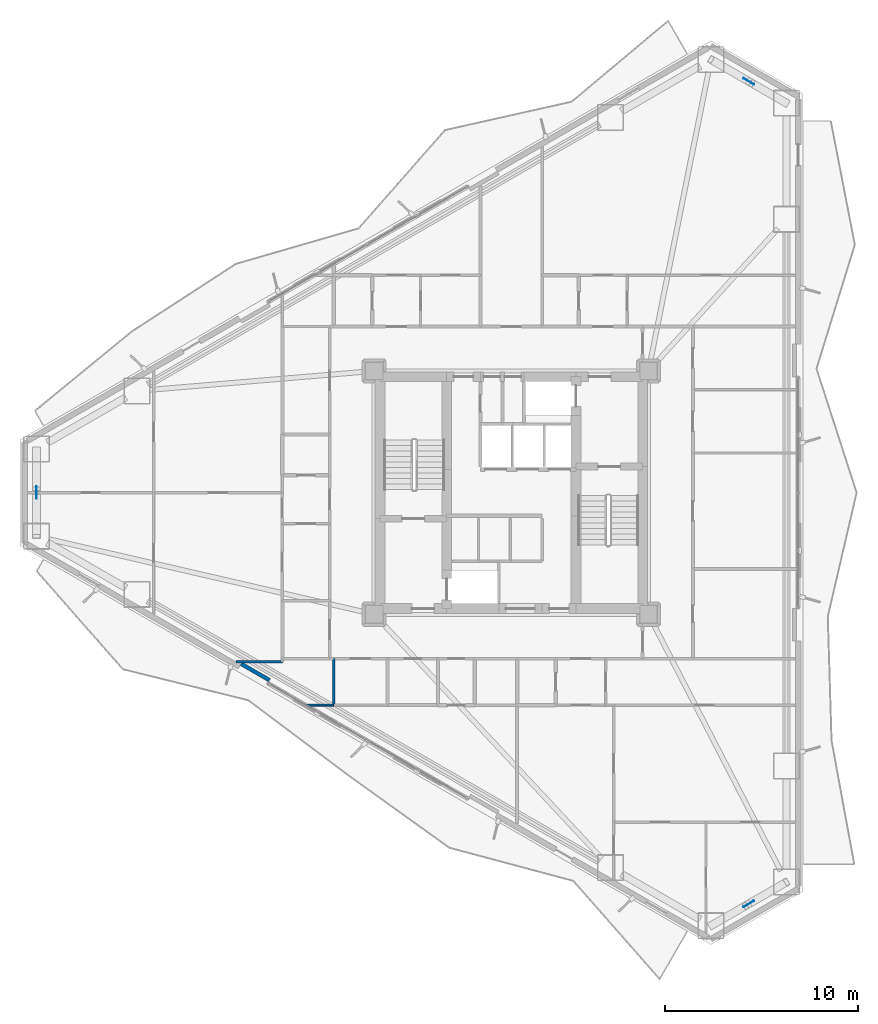
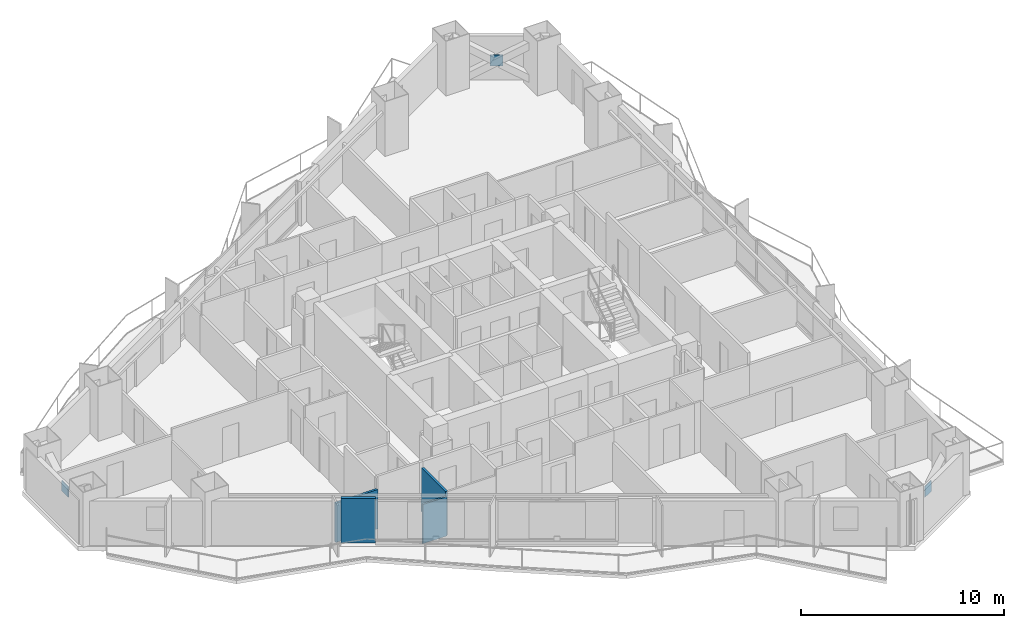
# One storey, part 11 of 19: 4 walls, 3 plates.
"""IFC4 building model written with IfcOpenShell, lengths in metres."""

import ifcopenshell
import ifcopenshell.guid

model = None  # the IFC model being written
_history = None  # IfcOwnerHistory: only IFC2X3 demands one
_inside = {}  # id of a spatial element -> (the spatial element, [elements in it])
_under = {}  # id of a project, library or spatial element -> (it, [spatial elements below it])
_declared = {}  # id of a project -> (the project, [libraries it declares])
_typed = {}  # id of a type object -> (the type object, [elements of that type])
_made_of = {}  # id of a material, layer set ... -> (it, [elements and type objects made of it])


def new_model(schema):
    """Start an empty IFC model of exactly this schema.

    Asked for "IFC4X3", IfcOpenShell would pick the latest addendum, in which some entities
    have other attributes; the version numbers below select the first issue.
    IFC2X3 requires an IfcOwnerHistory on every rooted entity: one is made here for all.
    """
    global model, _history
    if schema == "IFC4X3":
        model = ifcopenshell.file(schema_version=(4, 3, 0, 0))
    else:
        model = ifcopenshell.file(schema=schema)
    _inside.clear()
    _under.clear()
    _declared.clear()
    _typed.clear()
    _made_of.clear()
    _history = None
    if model.schema == "IFC2X3":
        org = make("IfcOrganization", Name="unknown")
        user = make(
            "IfcPersonAndOrganization",
            ThePerson=make("IfcPerson", FamilyName="unknown"),
            TheOrganization=org,
        )
        app = make(
            "IfcApplication",
            ApplicationDeveloper=org,
            Version="unknown",
            ApplicationFullName="unknown",
            ApplicationIdentifier="unknown",
        )
        _history = make(
            "IfcOwnerHistory",
            OwningUser=user,
            OwningApplication=app,
            ChangeAction="ADDED",
            CreationDate=0,
        )
    return model


def make(cls, **values):
    """One entity of the class cls with the attributes given. An attribute that is None is left unset."""
    return model.create_entity(
        cls, **{name: value for name, value in values.items() if value is not None}
    )


def rooted(cls, **values):
    """An entity with a GlobalId (a new one), such as an element, a storey or a relation."""
    return make(cls, GlobalId=ifcopenshell.guid.new(), OwnerHistory=_history, **values)


def si_unit(unit_type, name, prefix=None):
    """IfcSIUnit, for example si_unit("LENGTHUNIT", "METRE", prefix="MILLI")."""
    return make("IfcSIUnit", UnitType=unit_type, Prefix=prefix, Name=name)


def assignment(units):
    """IfcUnitAssignment: the units of a project."""
    return None if units is None else make("IfcUnitAssignment", Units=units)


def point(xyz):
    """IfcCartesianPoint."""
    return None if xyz is None else make("IfcCartesianPoint", Coordinates=xyz)


def direction(xyz):
    """IfcDirection."""
    return None if xyz is None else make("IfcDirection", DirectionRatios=xyz)


def frame(location, z_axis=None, x_axis=None):
    """IfcAxis2Placement3D, a coordinate frame: its origin and axes. An axis left out is left unset."""
    return make(
        "IfcAxis2Placement3D",
        Location=point(location),
        Axis=direction(z_axis),
        RefDirection=direction(x_axis),
    )


def frame_2d(location, x_axis=None):
    """IfcAxis2Placement2D, a coordinate frame in the plane: its origin and x axis."""
    return make(
        "IfcAxis2Placement2D", Location=point(location), RefDirection=direction(x_axis)
    )


def origin():
    """The frame at (0, 0, 0) with its axes left unset."""
    return frame((0.0, 0.0, 0.0))


def origin_2d():
    """The frame at (0, 0) in the plane with its x axis left unset."""
    return frame_2d((0.0, 0.0))


def place(relative_to, where):
    """IfcLocalPlacement: puts the frame where relative to a parent placement (None: the world)."""
    return make(
        "IfcLocalPlacement", PlacementRelTo=relative_to, RelativePlacement=where
    )


def context(
    kind, dimensions, precision=None, world=None, true_north=None, identifier=None
):
    """IfcGeometricRepresentationContext, for example the 3D "Model" context."""
    return make(
        "IfcGeometricRepresentationContext",
        ContextIdentifier=identifier,
        ContextType=kind,
        CoordinateSpaceDimension=dimensions,
        Precision=precision,
        WorldCoordinateSystem=world,
        TrueNorth=true_north,
    )


def subcontext(parent, identifier, kind, view, scale=None):
    """IfcGeometricRepresentationSubContext, for example "Body" below "Model"."""
    return make(
        "IfcGeometricRepresentationSubContext",
        ContextIdentifier=identifier,
        ContextType=kind,
        ParentContext=parent,
        TargetScale=scale,
        TargetView=view,
    )


def project(units=None, contexts=None):
    """IfcProject with its units and contexts."""
    return rooted(
        "IfcProject",
        Name="project",
        RepresentationContexts=contexts,
        UnitsInContext=assignment(units),
    )


def spatial(cls, under=None, at=None, **own):
    """A site, building, storey or space (cls), placed at a placement, below another one or the project."""
    s = rooted(cls, ObjectPlacement=at, **own)
    if under is not None:
        _under.setdefault(under.id(), (under, []))[1].append(s)
    return s


def profile(cls, at=None, kind="AREA", **sizes):
    """A parametric profile (cls). Its sizes go by their IFC names, for example OverallWidth=200.0."""
    return make(cls, ProfileType=kind, Position=at, **sizes)


def rectangle(**sizes):
    """IfcRectangleProfileDef."""
    return profile("IfcRectangleProfileDef", **sizes)


def extrude(swept, where, along, depth):
    """IfcExtrudedAreaSolid: the profile swept, set in the frame where, extruded along a direction by depth."""
    return make(
        "IfcExtrudedAreaSolid",
        SweptArea=swept,
        Position=where,
        ExtrudedDirection=direction(along),
        Depth=depth,
    )


def shape(context_of_items, identifier, shape_type, items):
    """IfcShapeRepresentation: the items that make up one representation, for example the "Body"."""
    return make(
        "IfcShapeRepresentation",
        ContextOfItems=context_of_items,
        RepresentationIdentifier=identifier,
        RepresentationType=shape_type,
        Items=items,
    )


def material(Name=None, Category=None):
    """IfcMaterial."""
    return make("IfcMaterial", Name=Name, Category=Category)


def layer(
    of_material, thickness, ventilated=None, Name=None, Category=None, Priority=None
):
    """IfcMaterialLayer: one layer of a wall or slab, of a material (None: an air gap)."""
    return make(
        "IfcMaterialLayer",
        Material=of_material,
        LayerThickness=thickness,
        IsVentilated=ventilated,
        Name=Name,
        Category=Category,
        Priority=Priority,
    )


def layer_set(layers, Name=None):
    """IfcMaterialLayerSet."""
    return make("IfcMaterialLayerSet", MaterialLayers=layers, LayerSetName=Name)


def made_of(thing, what):
    """Note that an element or type object is made of a material, layer set ...; save() writes the relation."""
    if what is not None:
        _made_of.setdefault(what.id(), (what, []))[1].append(thing)
    return thing


def type_object(cls, material=None, **own):
    """A type object (cls), such as IfcWallType, which elements share."""
    return made_of(rooted(cls, **own), material)


def element(
    cls,
    number,
    at=None,
    inside=None,
    cuts=None,
    type_object=None,
    material=None,
    context=None,
    identifier="Body",
    shape_type=None,
    held_by="IfcProductDefinitionShape",
    body=None,
    shapes=None,
    **own,
):
    """One element of the class cls, such as IfcWall. Its Tag is "e" and its number.

    at: its placement. inside: the storey or other place that contains it. cuts: it is an
    opening in that element (IfcRelVoidsElement). A single representation is given by context,
    identifier, shape_type and body (its items); several are given by shapes. held_by: the class
    of the entity that holds the representations. save() writes the other relations.
    """
    e = rooted(cls, Tag="e%d" % number, ObjectPlacement=at, **own)
    if body is not None:
        shapes = [shape(context, identifier, shape_type, body)]
    if shapes is not None:
        e.Representation = make(held_by, Representations=shapes)
    if inside is not None:
        _inside.setdefault(inside.id(), (inside, []))[1].append(e)
    if cuts is not None:
        rooted(
            "IfcRelVoidsElement", RelatingBuildingElement=cuts, RelatedOpeningElement=e
        )
    if type_object is not None:
        _typed.setdefault(type_object.id(), (type_object, []))[1].append(e)
    return made_of(e, material)


def aggregate(whole, parts):
    """IfcRelAggregates: a whole, such as a stair, and the parts it consists of."""
    return rooted("IfcRelAggregates", RelatingObject=whole, RelatedObjects=parts)


def save(model, path):
    """Write the relations noted so far, then the file.

    IfcRelAggregates (storeys below a building ...), IfcRelContainedInSpatialStructure (elements
    in a storey), IfcRelDefinesByType, IfcRelAssociatesMaterial and IfcRelDeclares: one each for
    every whole, place, type object, material and project.
    """
    for whole, parts in _under.values():
        aggregate(whole, parts)
    for where, things in _inside.values():
        rooted(
            "IfcRelContainedInSpatialStructure",
            RelatedElements=things,
            RelatingStructure=where,
        )
    for kind, things in _typed.values():
        rooted("IfcRelDefinesByType", RelatedObjects=things, RelatingType=kind)
    for what, things in _made_of.values():
        rooted("IfcRelAssociatesMaterial", RelatedObjects=things, RelatingMaterial=what)
    for by, libraries in _declared.values():
        rooted("IfcRelDeclares", RelatingContext=by, RelatedDefinitions=libraries)
    model.write(path)


model = new_model("IFC4")

# Units and contexts
model_context = context("Model", 3, precision=1e-05, world=origin(), true_north=direction((0.0, 1.0)))
body_context = subcontext(model_context, "Body", "Model", "MODEL_VIEW")
ifc_project = project(units=[si_unit("LENGTHUNIT", "METRE"), si_unit("AREAUNIT", "SQUARE_METRE"), si_unit("VOLUMEUNIT", "CUBIC_METRE"), si_unit("PLANEANGLEUNIT", "RADIAN"), si_unit("MASSUNIT", "GRAM", prefix="KILO")], contexts=[model_context])

# Site, building, storey
site_placement = place(None, origin())
site = spatial("IfcSite", under=ifc_project, at=site_placement, CompositionType="ELEMENT")
building_placement = place(site_placement, origin())
building = spatial("IfcBuilding", under=site, at=building_placement, Name="Mersakhor Tower and Convention Hall", CompositionType="ELEMENT")
storey_placement = place(building_placement, frame((0.0, 0.0, 48.89990234375)))
storey = spatial("IfcBuildingStorey", under=building, at=storey_placement, Name="L13", CompositionType="ELEMENT", Elevation=48.89990234375)

# Plates
ifc_material_1 = material(Name="Steel S460", Category="steel")
ifc_layer_1 = layer(ifc_material_1, 0.0400390625)
ifc_layer_set_1 = layer_set([ifc_layer_1], Name="Steel S460")
plate_type = type_object("IfcPlateType", Name="PL-GUSSET-40", PredefinedType="SHEET", material=ifc_layer_set_1)
for number, where, z_axis, x_axis, name in (
    (1, (41.29345703125, 48.04296875, 1.2001953125), (0.0, 0.0, 1.0), (-0.866025403784, 0.5, 0.0), "L13 X-Brace Crossing Gusset Node Plate"),
    (2, (41.29345703125, 5.45703125, 1.2001953125), (0.0, 0.0, 1.0), (0.866025403784, 0.5, 0.0), "L13 X-Brace Crossing Gusset Node Plate"),
    (3, (4.4130859375, 26.75, 1.2001953125), (0.0, 0.0, 1.0), (0.0, -1.0, 0.0), "L13 X-Brace Crossing Gusset Node Plate"),
):
    element("IfcPlate", number, at=place(storey_placement, frame(where, z_axis=z_axis, x_axis=x_axis)), inside=storey, type_object=plate_type, Name=name, PredefinedType="SHEET", context=body_context, shape_type="SweptSolid", body=[
        extrude(rectangle(XDim=0.639892578125, YDim=0.0400390625, at=origin_2d()), origin(), (0.0, 0.0, 1.0), 0.639892578125),
    ])

# Walls
ifc_material_2 = material(Name="Precast concrete C40/50", Category="concrete")
ifc_layer_2 = layer(ifc_material_2, 0.199951171875)
ifc_layer_set_2 = layer_set([ifc_layer_2], Name="Precast concrete C40/50")
wall_type_1 = type_object("IfcWallType", Name="WL-PAR-200", PredefinedType="PARAPET", material=ifc_layer_set_2)
wall_1_placement = place(storey_placement, frame((16.48046875, 17.038818359375, 0.0), z_axis=(0.0, 0.0, 1.0), x_axis=(-0.86605165483, 0.499954529098, 0.0)))
element("IfcWall", 4, at=wall_1_placement, inside=storey, type_object=wall_type_1, Name="L13 Column Pier Cladding Wall F3-C2", PredefinedType="PARAPET", context=body_context, shape_type="SweptSolid", body=[
    extrude(rectangle(XDim=1.699951171875, YDim=0.199951171875, at=frame_2d((0.85009765625, 0.0))), origin(), (0.0, 0.0, 1.0), 2.66015625),
])
ifc_material_3 = material(Name="Lightweight gypsum partition", Category="other")
ifc_layer_3 = layer(ifc_material_3, 0.10009765625)
ifc_layer_set_3 = layer_set([ifc_layer_3], Name="Lightweight gypsum partition")
wall_type_2 = type_object("IfcWallType", Name="WL-PRT-100", PredefinedType="PARTITIONING", material=ifc_layer_set_3)
wall_2_placement = place(storey_placement, frame((18.41796875, 15.75, 0.0), z_axis=(0.0, 0.0, 1.0), x_axis=(1.0, 0.0, 0.0)))
element("IfcWall", 5, at=wall_2_placement, inside=storey, type_object=wall_type_2, Name="L13 Interior Partition Wall P-114", PredefinedType="PARTITIONING", context=body_context, shape_type="SweptSolid", body=[
    extrude(rectangle(XDim=1.382080078125, YDim=0.10009765625, at=frame_2d((0.69091796875, 0.0))), origin(), (0.0, 0.0, 1.0), 2.364990234375),
])
ifc_material_4 = material(Name="Gypsum board acoustic partition", Category="other")
ifc_layer_4 = layer(ifc_material_4, 0.125)
ifc_layer_set_4 = layer_set([ifc_layer_4], Name="Gypsum board acoustic partition")
wall_type_3 = type_object("IfcWallType", Name="WL-PRT-125", PredefinedType="PARTITIONING", material=ifc_layer_set_4)
wall_3_placement = place(storey_placement, frame((19.800048828125, 15.75, 0.0), z_axis=(0.0, 0.0, 1.0), x_axis=(0.0, 1.0, 0.0)))
element("IfcWall", 6, at=wall_3_placement, inside=storey, type_object=wall_type_3, Name="L13 Interior Partition Wall P-113", PredefinedType="PARTITIONING", context=body_context, shape_type="SweptSolid", body=[
    extrude(rectangle(XDim=2.39990234375, YDim=0.125, at=frame_2d((1.199951171875, 0.0))), origin(), (0.0, 0.0, 1.0), 2.650390625),
])
wall_4_placement = place(storey_placement, frame((17.14990234375, 18.0, 0.0), z_axis=(0.0, 0.0, 1.0), x_axis=(-1.0, 0.0, 0.0)))
element("IfcWall", 7, at=wall_4_placement, inside=storey, type_object=wall_type_3, Name="L13 Interior Partition Wall P-131", PredefinedType="PARTITIONING", context=body_context, shape_type="SweptSolid", body=[
    extrude(rectangle(XDim=2.40087890625, YDim=0.125, at=frame_2d((1.200439453125, 0.0))), origin(), (0.0, 0.0, 1.0), 2.364990234375),
])

save(model, "model.ifc")
